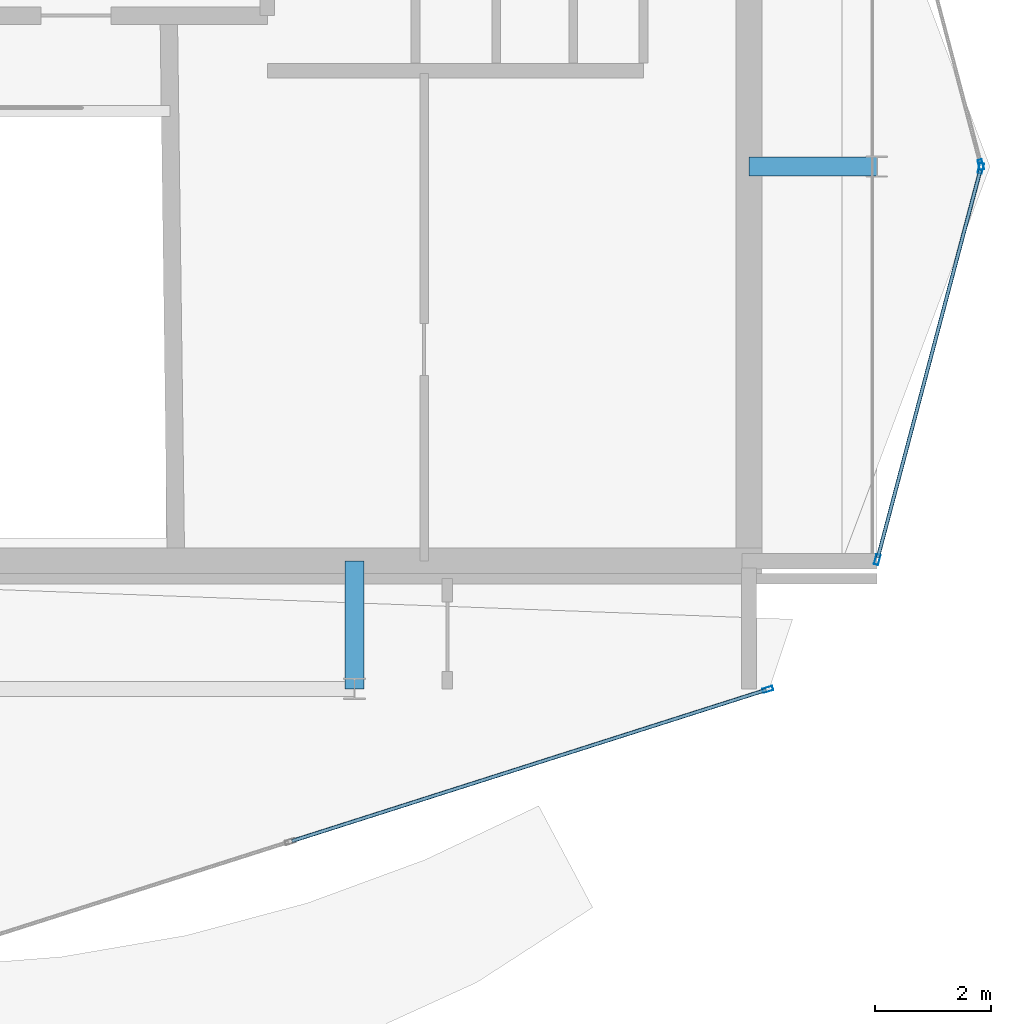
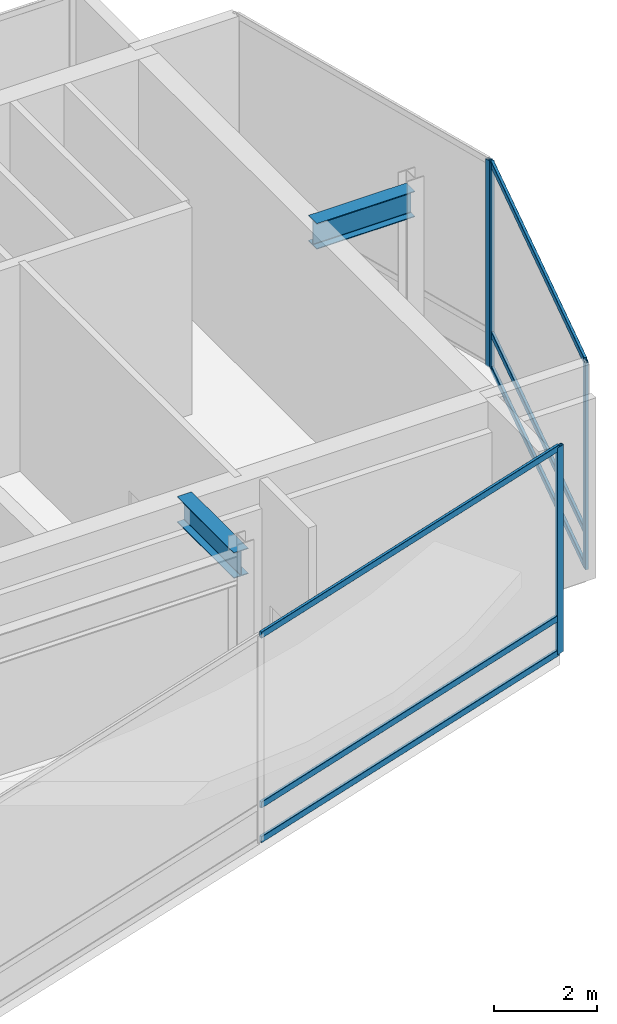
# One storey, part 11 of 19: 10 members, 2 beams, 3 elements without a shape of their own.
"""IFC4 building model written with IfcOpenShell, lengths in metres."""

from ifc_helpers import new_model, si_unit, direction, frame, origin, origin_2d, place, context, subcontext, project, spatial, hollow_rectangle, i_section, extrude, material, layer, layer_set, material_profile, profile_set, type_object, element, aggregate, save


model = new_model("IFC4")

# Units and contexts
model_context = context("Model", 3, precision=1e-05, world=origin(), true_north=direction((0.0, 1.0)))
body_context = subcontext(model_context, "Body", "Model", "MODEL_VIEW")
ifc_project = project(units=[si_unit("LENGTHUNIT", "METRE"), si_unit("AREAUNIT", "SQUARE_METRE"), si_unit("VOLUMEUNIT", "CUBIC_METRE"), si_unit("PLANEANGLEUNIT", "RADIAN"), si_unit("MASSUNIT", "GRAM", prefix="KILO")], contexts=[model_context])

# Site, building, storey
site_placement = place(None, origin())
site = spatial("IfcSite", under=ifc_project, at=site_placement, CompositionType="ELEMENT")
building_placement = place(site_placement, origin())
building = spatial("IfcBuilding", under=site, at=building_placement, Name="Solvaryn Broadcast Tower", CompositionType="ELEMENT")
storey_placement = place(building_placement, frame((0.0, 0.0, 302.60009765625)))
storey = spatial("IfcBuildingStorey", under=building, at=storey_placement, Name="L76", CompositionType="ELEMENT", Elevation=302.60009765625)

# Beams
ifc_material_1 = material(Name="Steel ASTM A992 Grade 50", Category="steel")
ifc_material_profile_1 = material_profile(ifc_material_1, i_section(OverallWidth=0.323974609375, OverallDepth=0.611083984375, WebThickness=0.0126953125, FlangeThickness=0.01904296875, FilletRadius=0.014892578125, at=origin_2d()))
ifc_profile_set_1 = profile_set([ifc_material_profile_1], Name="Steel ASTM A992 Grade 50")
beam_type = type_object("IfcBeamType", Name="BM-B1-W24X104", PredefinedType="BEAM", material=ifc_profile_set_1)
for number, where, z_axis, x_axis, name in (
    (1, (36.0, 9.0, 4.594482421875), (0.0, 1.0, 0.0), (-1.0, 0.0, 0.0), "L76 Core Tie Beam CTE1"),
    (2, (42.800048828125, 18.0, 4.594482421875), (1.0, 0.0, 0.0), (0.0, 1.0, 0.0), "L76 Core Tie Beam CTE3"),
):
    element("IfcBeam", number, at=place(storey_placement, frame(where, z_axis=z_axis, x_axis=x_axis)), inside=storey, type_object=beam_type, Name=name, PredefinedType="BEAM", context=body_context, shape_type="SweptSolid", body=[
        extrude(i_section(OverallWidth=0.323974609375, OverallDepth=0.611083984375, WebThickness=0.0126953125, FlangeThickness=0.01904296875, FilletRadius=0.014892578125, at=origin_2d()), origin(), (0.0, 0.0, 1.0), 2.199951171875),
    ])

# Curtain wall, member
ifc_material_2 = material(Name="Aluminium and Terracotta Unitised Curtain Wall", Category="masonry")
ifc_layer = layer(ifc_material_2, 0.260009765625)
ifc_layer_set = layer_set([ifc_layer], Name="CW-SYS5-DAMPER")
curtain_wall_type = type_object("IfcCurtainWallType", Name="CW-SYS5-DAMPER", PredefinedType="NOTDEFINED", material=ifc_layer_set)
curtain_wall_1_placement = place(storey_placement, origin())
curtain_wall_1 = element("IfcCurtainWall", 3, at=curtain_wall_1_placement, inside=storey, type_object=curtain_wall_type, Name="L76 Curtain Wall DR4", PredefinedType="NOTDEFINED")
ifc_material_3 = material(Name="Anodised Aluminium 6063-T6", Category="aluminium")
ifc_material_profile_2 = material_profile(ifc_material_3, hollow_rectangle(XDim=0.074951171875, YDim=0.179931640625, WallThickness=0.00390625, InnerFilletRadius=0.00390625, OuterFilletRadius=0.008056640625, at=origin_2d()))
ifc_profile_set_2 = profile_set([ifc_material_profile_2], Name="Anodised Aluminium 6063-T6")
member_type_1 = type_object("IfcMemberType", Name="CW-MUL-180", PredefinedType="MULLION", material=ifc_profile_set_2)
member_1_placement = place(storey_placement, frame((43.120361328125, 8.990966796875, 0.0), z_axis=(0.0, 0.0, 1.0), x_axis=(-0.30361564569, 0.952794594701, 0.0)))
member_1 = element("IfcMember", 4, at=member_1_placement, type_object=member_type_1, Name="CWS5 mullion 3", PredefinedType="MULLION", context=body_context, shape_type="SweptSolid", body=[
    extrude(hollow_rectangle(XDim=0.074951171875, YDim=0.179931640625, WallThickness=0.00390625, InnerFilletRadius=0.00390625, OuterFilletRadius=0.008056640625, at=origin_2d()), origin(), (0.0, 0.0, 1.0), 4.89990234375),
])

curtain_wall_2_placement = place(storey_placement, origin())
curtain_wall_2 = element("IfcCurtainWall", 5, at=curtain_wall_2_placement, inside=storey, type_object=curtain_wall_type, Name="L76 Curtain Wall ET1", PredefinedType="NOTDEFINED")
member_2_placement = place(storey_placement, frame((46.792236328125, 18.029052734375, 0.0), z_axis=(0.0, 0.0, 1.0), x_axis=(0.966705227863, 0.25589256031, 0.0)))
member_2 = element("IfcMember", 6, at=member_2_placement, type_object=member_type_1, Name="CWS5 mullion 2", PredefinedType="MULLION", context=body_context, shape_type="SweptSolid", body=[
    extrude(hollow_rectangle(XDim=0.074951171875, YDim=0.179931640625, WallThickness=0.00390625, InnerFilletRadius=0.00390625, OuterFilletRadius=0.008056640625, at=origin_2d()), origin(), (0.0, 0.0, 1.0), 4.89990234375),
])
aggregate(curtain_wall_2, [member_2])

# Curtain wall, members
curtain_wall_3_placement = place(storey_placement, origin())
curtain_wall_3 = element("IfcCurtainWall", 7, at=curtain_wall_3_placement, inside=storey, type_object=curtain_wall_type, Name="L76 Curtain Wall ET2", PredefinedType="NOTDEFINED")
member_3_placement = place(storey_placement, frame((46.792236328125, 17.970947265625, 0.0), z_axis=(0.0, 0.0, 1.0), x_axis=(0.966705227863, -0.25589256031, 0.0)))
member_3 = element("IfcMember", 8, at=member_3_placement, type_object=member_type_1, Name="CWS5 mullion 1", PredefinedType="MULLION", context=body_context, shape_type="SweptSolid", body=[
    extrude(hollow_rectangle(XDim=0.074951171875, YDim=0.179931640625, WallThickness=0.00390625, InnerFilletRadius=0.00390625, OuterFilletRadius=0.008056640625, at=origin_2d()), origin(), (0.0, 0.0, 1.0), 4.89990234375),
])
member_4_placement = place(storey_placement, frame((45.007568359375, 11.22900390625, 0.0), z_axis=(0.0, 0.0, 1.0), x_axis=(0.966705227863, -0.25589256031, 0.0)))
member_4 = element("IfcMember", 9, at=member_4_placement, type_object=member_type_1, Name="CWS5 mullion 2", PredefinedType="MULLION", context=body_context, shape_type="SweptSolid", body=[
    extrude(hollow_rectangle(XDim=0.074951171875, YDim=0.179931640625, WallThickness=0.00390625, InnerFilletRadius=0.00390625, OuterFilletRadius=0.008056640625, at=origin_2d()), origin(), (0.0, 0.0, 1.0), 4.89990234375),
])

# Member
ifc_material_4 = material(Name="Anodised Aluminium 6063-T6", Category="aluminium")
ifc_material_profile_3 = material_profile(ifc_material_4, hollow_rectangle(XDim=0.06494140625, YDim=0.14990234375, WallThickness=0.00390625, InnerFilletRadius=0.00390625, OuterFilletRadius=0.008056640625, at=origin_2d()))
ifc_profile_set_3 = profile_set([ifc_material_profile_3], Name="Anodised Aluminium 6063-T6")
member_type_2 = type_object("IfcMemberType", Name="CW-TRN-150", PredefinedType="USERDEFINED", material=ifc_profile_set_3)
member_5_placement = place(storey_placement, frame((34.921142578125, 6.378173828125, 0.02978515625), z_axis=(0.952798944691, 0.303601994388, 0.0), x_axis=(-0.303601994388, 0.952798944691, 0.0)))
member_5 = element("IfcMember", 10, at=member_5_placement, type_object=member_type_2, Name="CWS5 transom 2.1", ObjectType="TRANSOM", PredefinedType="USERDEFINED", context=body_context, shape_type="SweptSolid", body=[
    extrude(hollow_rectangle(XDim=0.06494140625, YDim=0.14990234375, WallThickness=0.00390625, InnerFilletRadius=0.00390625, OuterFilletRadius=0.008056640625, at=origin_2d()), origin(), (0.0, 0.0, 1.0), 8.575439453125),
])

member_6_placement = place(storey_placement, frame((34.921142578125, 6.378173828125, 0.849853515625), z_axis=(0.952798944691, 0.303601994388, 0.0), x_axis=(-0.303601994388, 0.952798944691, 0.0)))
member_6 = element("IfcMember", 11, at=member_6_placement, type_object=member_type_2, Name="CWS5 transom 2.2", ObjectType="TRANSOM", PredefinedType="USERDEFINED", context=body_context, shape_type="SweptSolid", body=[
    extrude(hollow_rectangle(XDim=0.06494140625, YDim=0.14990234375, WallThickness=0.00390625, InnerFilletRadius=0.00390625, OuterFilletRadius=0.008056640625, at=origin_2d()), origin(), (0.0, 0.0, 1.0), 8.575439453125),
])

member_7_placement = place(storey_placement, frame((34.921142578125, 6.378173828125, 4.869873046875), z_axis=(0.952798944691, 0.303601994388, 0.0), x_axis=(-0.303601994388, 0.952798944691, 0.0)))
member_7 = element("IfcMember", 12, at=member_7_placement, type_object=member_type_2, Name="CWS5 transom 2.3", ObjectType="TRANSOM", PredefinedType="USERDEFINED", context=body_context, shape_type="SweptSolid", body=[
    extrude(hollow_rectangle(XDim=0.06494140625, YDim=0.14990234375, WallThickness=0.00390625, InnerFilletRadius=0.00390625, OuterFilletRadius=0.008056640625, at=origin_2d()), origin(), (0.0, 0.0, 1.0), 8.575439453125),
])

aggregate(curtain_wall_1, [member_1, member_5, member_6, member_7])

member_8_placement = place(storey_placement, frame((46.78466796875, 17.94189453125, 0.02978515625), z_axis=(-0.255897413051, -0.966703943301, 0.0), x_axis=(0.966703943301, -0.255897413051, 0.0)))
member_8 = element("IfcMember", 13, at=member_8_placement, type_object=member_type_2, Name="CWS5 transom 1.1", ObjectType="TRANSOM", PredefinedType="USERDEFINED", context=body_context, shape_type="SweptSolid", body=[
    extrude(hollow_rectangle(XDim=0.06494140625, YDim=0.14990234375, WallThickness=0.00390625, InnerFilletRadius=0.00390625, OuterFilletRadius=0.008056640625, at=origin_2d()), origin(), (0.0, 0.0, 1.0), 6.9140625),
])

member_9_placement = place(storey_placement, frame((46.78466796875, 17.94189453125, 0.849853515625), z_axis=(-0.255897413051, -0.966703943301, 0.0), x_axis=(0.966703943301, -0.255897413051, 0.0)))
member_9 = element("IfcMember", 14, at=member_9_placement, type_object=member_type_2, Name="CWS5 transom 1.2", ObjectType="TRANSOM", PredefinedType="USERDEFINED", context=body_context, shape_type="SweptSolid", body=[
    extrude(hollow_rectangle(XDim=0.06494140625, YDim=0.14990234375, WallThickness=0.00390625, InnerFilletRadius=0.00390625, OuterFilletRadius=0.008056640625, at=origin_2d()), origin(), (0.0, 0.0, 1.0), 6.9140625),
])

member_10_placement = place(storey_placement, frame((46.78466796875, 17.94189453125, 4.869873046875), z_axis=(-0.255897413051, -0.966703943301, 0.0), x_axis=(0.966703943301, -0.255897413051, 0.0)))
member_10 = element("IfcMember", 15, at=member_10_placement, type_object=member_type_2, Name="CWS5 transom 1.3", ObjectType="TRANSOM", PredefinedType="USERDEFINED", context=body_context, shape_type="SweptSolid", body=[
    extrude(hollow_rectangle(XDim=0.06494140625, YDim=0.14990234375, WallThickness=0.00390625, InnerFilletRadius=0.00390625, OuterFilletRadius=0.008056640625, at=origin_2d()), origin(), (0.0, 0.0, 1.0), 6.9140625),
])

aggregate(curtain_wall_3, [member_3, member_4, member_8, member_9, member_10])

save(model, "model.ifc")
